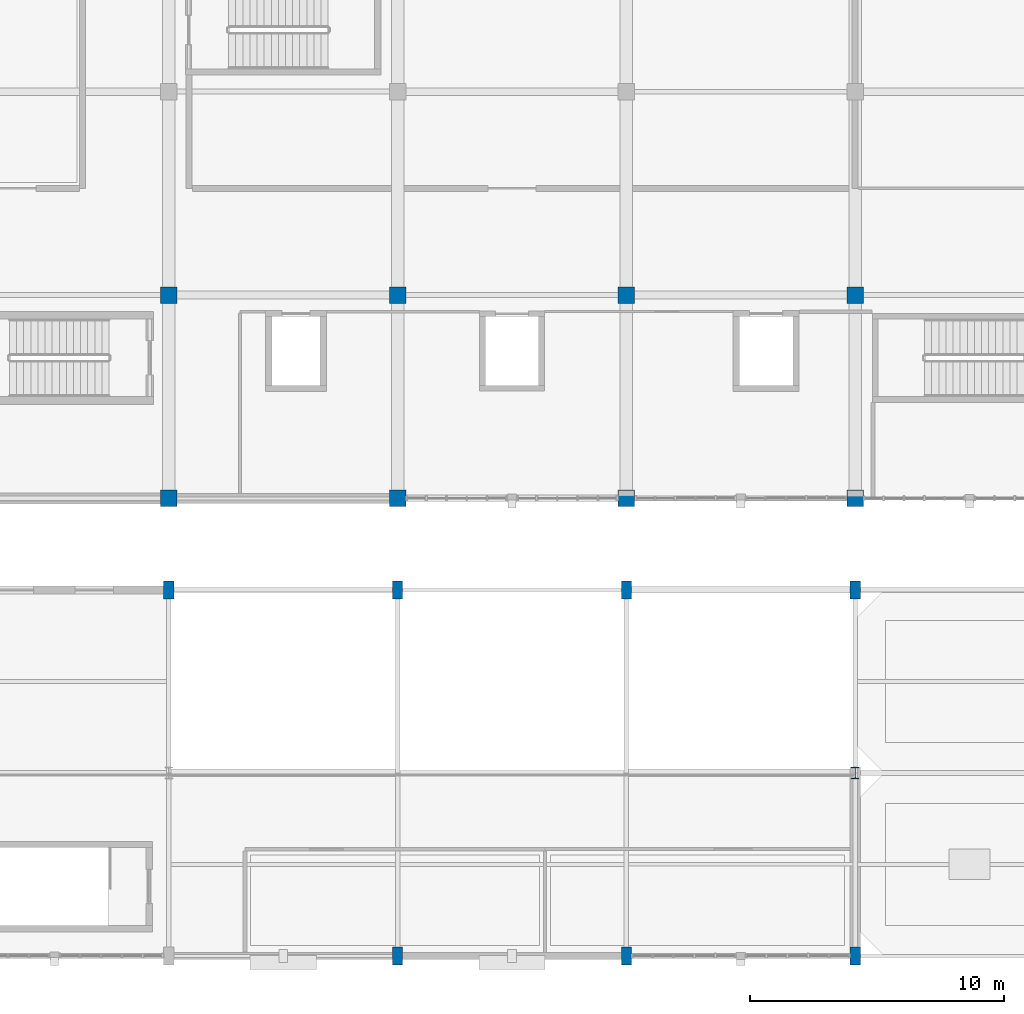
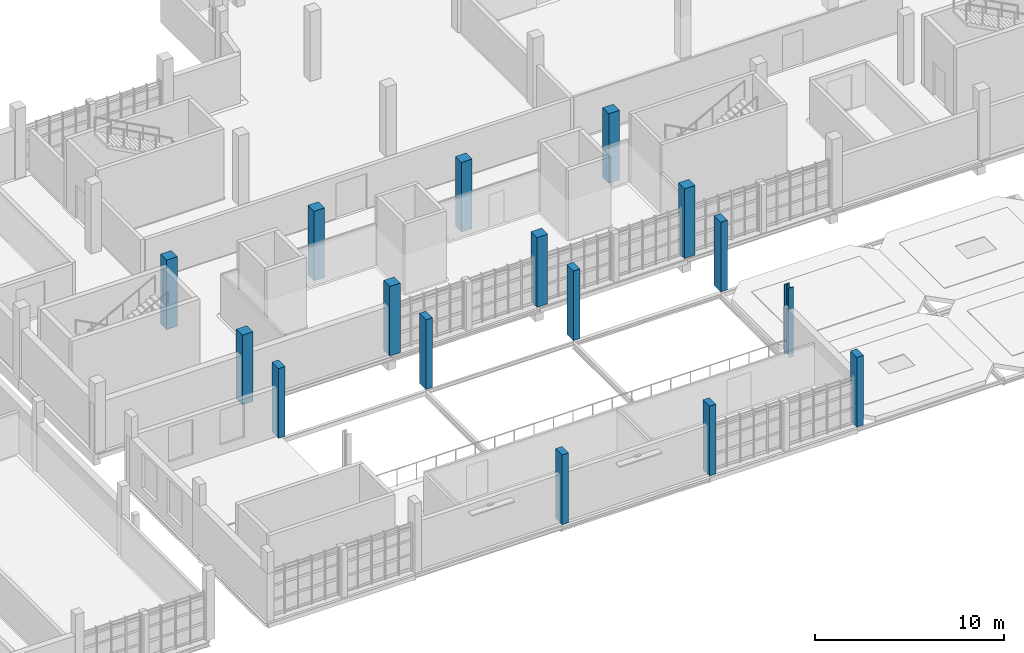
# One storey, part 4 of 125: 16 columns.
"""IFC4 building model written with IfcOpenShell, lengths in metres."""

from ifc_helpers import new_model, si_unit, direction, frame, origin, origin_2d, place, context, subcontext, project, spatial, rectangle, i_section, extrude, material, material_profile, profile_set, type_object, element, save


model = new_model("IFC4")

# Units and contexts
model_context = context("Model", 3, precision=1e-05, world=origin(), true_north=direction((0.0, 1.0)))
body_context = subcontext(model_context, "Body", "Model", "MODEL_VIEW")
ifc_project = project(units=[si_unit("LENGTHUNIT", "METRE"), si_unit("AREAUNIT", "SQUARE_METRE"), si_unit("VOLUMEUNIT", "CUBIC_METRE"), si_unit("PLANEANGLEUNIT", "RADIAN"), si_unit("MASSUNIT", "GRAM", prefix="KILO")], contexts=[model_context])

# Site, building, storey
site_placement = place(None, origin())
site = spatial("IfcSite", under=ifc_project, at=site_placement, CompositionType="ELEMENT")
building_placement = place(site_placement, origin())
building = spatial("IfcBuilding", under=site, at=building_placement, Name="Serraforn Aerial Cableway Station", CompositionType="ELEMENT")
storey_placement = place(building_placement, frame((0.0, 0.0, 4.5)))
storey = spatial("IfcBuildingStorey", under=building, at=storey_placement, Name="L01", CompositionType="ELEMENT", Elevation=4.5)

# Columns
ifc_material_1 = material(Name="Concrete C35/45", Category="concrete")
ifc_material_profile_1 = material_profile(ifc_material_1, rectangle(XDim=0.39990234375, YDim=0.699951171875, at=origin_2d()), Name="RC 400x700")
ifc_profile_set_1 = profile_set([ifc_material_profile_1], Name="Concrete C35/45")
column_type_1 = type_object("IfcColumnType", Name="COL-RC-400x700", PredefinedType="COLUMN", material=ifc_profile_set_1)
for number, where, z_axis, x_axis, name in (
    (1, (36.60009765625, 14.39990234375, 0.0), (0.0, 0.0, 1.0), (1.0, 0.0, 0.0), "Column CF L01 6-B2"),
    (2, (45.60009765625, 0.0, 0.0), (0.0, 0.0, 1.0), (1.0, 0.0, 0.0), "Column CF L01 7-A"),
    (3, (45.60009765625, 14.39990234375, 0.0), (0.0, 0.0, 1.0), (1.0, 0.0, 0.0), "Column CF L01 7-B2"),
    (4, (54.60009765625, 0.0, 0.0), (0.0, 0.0, 1.0), (1.0, 0.0, 0.0), "Column CF L01 8-A"),
    (5, (54.60009765625, 14.39990234375, 0.0), (0.0, 0.0, 1.0), (1.0, 0.0, 0.0), "Column CF L01 8-B2"),
    (6, (63.60009765625, 0.0, 0.0), (0.0, 0.0, 1.0), (1.0, 0.0, 0.0), "Column CF L01 9-A"),
    (7, (63.60009765625, 14.39990234375, 0.0), (0.0, 0.0, 1.0), (1.0, 0.0, 0.0), "Column CF L01 9-B2"),
):
    element("IfcColumn", number, at=place(storey_placement, frame(where, z_axis=z_axis, x_axis=x_axis)), inside=storey, type_object=column_type_1, Name=name, PredefinedType="COLUMN", context=body_context, shape_type="SweptSolid", body=[
        extrude(rectangle(XDim=0.39990234375, YDim=0.699951171875, at=origin_2d()), origin(), (0.0, 0.0, 1.0), 4.5),
    ])
ifc_material_profile_2 = material_profile(ifc_material_1, rectangle(XDim=0.64990234375, YDim=0.64990234375, at=origin_2d()), Name="RC 650x650")
ifc_profile_set_2 = profile_set([ifc_material_profile_2], Name="Concrete C35/45")
column_type_2 = type_object("IfcColumnType", Name="COL-RC-650", PredefinedType="COLUMN", material=ifc_profile_set_2)
for number, where, z_axis, x_axis, name in (
    (8, (36.60009765625, 26.0, 0.0), (0.0, 0.0, 1.0), (1.0, 0.0, 0.0), "Column CV L01 6-D1"),
    (9, (45.60009765625, 26.0, 0.0), (0.0, 0.0, 1.0), (1.0, 0.0, 0.0), "Column CV L01 7-D1"),
    (10, (54.60009765625, 26.0, 0.0), (0.0, 0.0, 1.0), (1.0, 0.0, 0.0), "Column CV L01 8-D1"),
    (11, (63.60009765625, 26.0, 0.0), (0.0, 0.0, 1.0), (1.0, 0.0, 0.0), "Column CV L01 9-D1"),
):
    element("IfcColumn", number, at=place(storey_placement, frame(where, z_axis=z_axis, x_axis=x_axis)), inside=storey, type_object=column_type_2, Name=name, PredefinedType="COLUMN", context=body_context, shape_type="SweptSolid", body=[
        extrude(rectangle(XDim=0.64990234375, YDim=0.64990234375, at=origin_2d()), origin(), (0.0, 0.0, 1.0), 4.5),
    ])
ifc_material_profile_3 = material_profile(ifc_material_1, rectangle(XDim=0.64990234375, YDim=0.64990234375, at=origin_2d()), Name="RC 650x650")
ifc_profile_set_3 = profile_set([ifc_material_profile_3], Name="Concrete C35/45")
column_type_3 = type_object("IfcColumnType", Name="COL-RC-650E", PredefinedType="COLUMN", material=ifc_profile_set_3)
for number, where, z_axis, x_axis, name in (
    (12, (36.60009765625, 18.0, 0.0), (0.0, 0.0, 1.0), (1.0, 0.0, 0.0), "Column CV L01 6-C"),
    (13, (45.60009765625, 18.0, 0.0), (0.0, 0.0, 1.0), (1.0, 0.0, 0.0), "Column CV L01 7-C"),
    (14, (54.60009765625, 18.0, 0.0), (0.0, 0.0, 1.0), (1.0, 0.0, 0.0), "Column CV L01 8-C"),
    (15, (63.60009765625, 18.0, 0.0), (0.0, 0.0, 1.0), (1.0, 0.0, 0.0), "Column CV L01 9-C"),
):
    element("IfcColumn", number, at=place(storey_placement, frame(where, z_axis=z_axis, x_axis=x_axis)), inside=storey, type_object=column_type_3, Name=name, PredefinedType="COLUMN", context=body_context, shape_type="SweptSolid", body=[
        extrude(rectangle(XDim=0.64990234375, YDim=0.64990234375, at=origin_2d()), origin(), (0.0, 0.0, 1.0), 4.5),
    ])
ifc_material_2 = material(Name="Steel S355J2", Category="steel")
ifc_material_profile_4 = material_profile(ifc_material_2, i_section(OverallWidth=0.300048828125, OverallDepth=0.449951171875, WebThickness=0.011474609375, FlangeThickness=0.02099609375, FilletRadius=0.027099609375, at=origin_2d()), Name="HEA 450")
ifc_profile_set_4 = profile_set([ifc_material_profile_4], Name="Steel S355J2")
column_type_4 = type_object("IfcColumnType", Name="COL-ST-HEA450", PredefinedType="COLUMN", material=ifc_profile_set_4)
column_placement = place(storey_placement, frame((63.60009765625, 7.199951171875, 0.0), z_axis=(0.0, 0.0, 1.0), x_axis=(1.0, 0.0, 0.0)))
element("IfcColumn", 16, at=column_placement, inside=storey, type_object=column_type_4, Name="Column CF L01 9-B1", PredefinedType="COLUMN", context=body_context, shape_type="SweptSolid", body=[
    extrude(i_section(OverallWidth=0.300048828125, OverallDepth=0.449951171875, WebThickness=0.011474609375, FlangeThickness=0.02099609375, FilletRadius=0.027099609375, at=origin_2d()), origin(), (0.0, 0.0, 1.0), 4.5),
])

save(model, "model.ifc")
